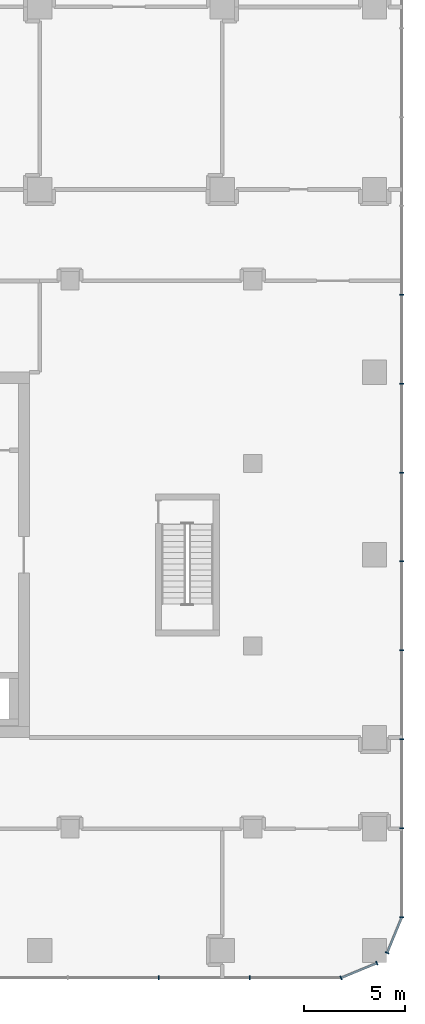
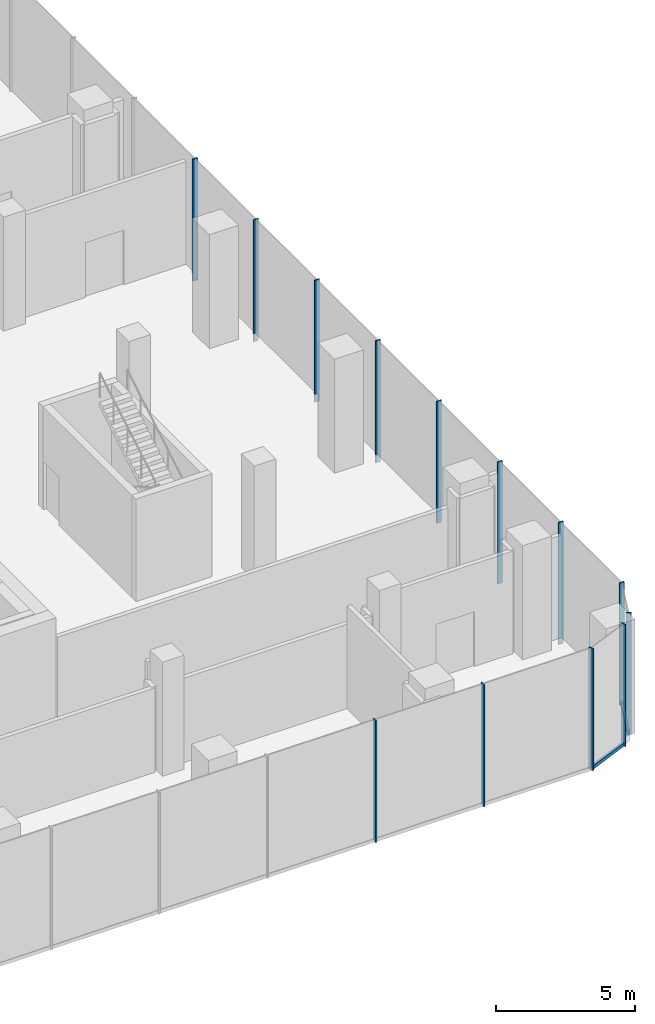
# One storey, part 13 of 36: 15 members, 4 elements without a shape of their own.
"""IFC4 building model written with IfcOpenShell, lengths in metres."""

from ifc_helpers import new_model, si_unit, direction, frame, origin, origin_2d, place, context, subcontext, project, spatial, rectangle, extrude, material, layer, layer_set, material_profile, profile_set, type_object, element, aggregate, save


model = new_model("IFC4")

# Units and contexts
model_context = context("Model", 3, precision=1e-05, world=origin(), true_north=direction((0.0, 1.0)))
body_context = subcontext(model_context, "Body", "Model", "MODEL_VIEW")
ifc_project = project(units=[si_unit("LENGTHUNIT", "METRE"), si_unit("AREAUNIT", "SQUARE_METRE"), si_unit("VOLUMEUNIT", "CUBIC_METRE"), si_unit("PLANEANGLEUNIT", "RADIAN"), si_unit("MASSUNIT", "GRAM", prefix="KILO")], contexts=[model_context])

# Site, building, storey
site_placement = place(None, origin())
site = spatial("IfcSite", under=ifc_project, at=site_placement, CompositionType="ELEMENT")
building_placement = place(site_placement, origin())
building = spatial("IfcBuilding", under=site, at=building_placement, Name="Plateau Cross Towers", CompositionType="ELEMENT")
storey_placement = place(building_placement, frame((0.0, 0.0, 21.800048828125)))
storey = spatial("IfcBuildingStorey", under=building, at=storey_placement, Name="L04", CompositionType="ELEMENT", Elevation=21.800048828125)

# Curtain wall, members
ifc_material_1 = material(Name="Dark low-iron laminated glass", Category="glass")
ifc_layer = layer(ifc_material_1, 0.300048828125)
ifc_layer_set = layer_set([ifc_layer], Name="Dark low-iron laminated glass")
curtain_wall_type = type_object("IfcCurtainWallType", Name="Curtain wall structural silicone CW-C", PredefinedType="NOTDEFINED", material=ifc_layer_set)
curtain_wall_1_placement = place(storey_placement, origin())
curtain_wall_1 = element("IfcCurtainWall", 1, at=curtain_wall_1_placement, inside=storey, type_object=curtain_wall_type, Name="ENV/P/L04/P-28_-118", PredefinedType="NOTDEFINED")
ifc_material_2 = material(Name="Black anodised aluminium", Category="aluminium")
ifc_material_profile_1 = material_profile(ifc_material_2, rectangle(XDim=0.050048828125, YDim=0.199951171875, at=origin_2d()), Name="MULLION 50x200")
ifc_profile_set_1 = profile_set([ifc_material_profile_1], Name="Black anodised aluminium")
member_type_1 = type_object("IfcMemberType", Name="Mullion 50x200 structural silicone", PredefinedType="MULLION", material=ifc_profile_set_1)
member_1_placement = place(storey_placement, frame((95.875, -11.85009765625, -0.35009765625), z_axis=(0.0, 0.0, 1.0), x_axis=(1.0, 0.0, 0.0)))
member_1 = element("IfcMember", 2, at=member_1_placement, type_object=member_type_1, Name="CW-C mullion 23", PredefinedType="MULLION", context=body_context, shape_type="SweptSolid", body=[
    extrude(rectangle(XDim=0.050048828125, YDim=0.199951171875, at=origin_2d()), origin(), (0.0, 0.0, 1.0), 5.35009765625),
])
member_2_placement = place(storey_placement, frame((100.362548828125, -11.85009765625, -0.35009765625), z_axis=(0.0, 0.0, 1.0), x_axis=(1.0, 0.0, 0.0)))
member_2 = element("IfcMember", 3, at=member_2_placement, type_object=member_type_1, Name="CW-C mullion 24", PredefinedType="MULLION", context=body_context, shape_type="SweptSolid", body=[
    extrude(rectangle(XDim=0.050048828125, YDim=0.199951171875, at=origin_2d()), origin(), (0.0, 0.0, 1.0), 5.35009765625),
])
aggregate(curtain_wall_1, [member_1, member_2])

curtain_wall_2_placement = place(storey_placement, origin())
curtain_wall_2 = element("IfcCurtainWall", 4, at=curtain_wall_2_placement, inside=storey, type_object=curtain_wall_type, Name="ENV/P/L04/P1048_-118", PredefinedType="NOTDEFINED")
member_3_placement = place(storey_placement, frame((104.85009765625, -11.85009765625, -0.35009765625), z_axis=(0.0, 0.0, 1.0), x_axis=(0.923879457699, 0.382683612978, 0.0)))
member_3 = element("IfcMember", 5, at=member_3_placement, type_object=member_type_1, Name="CW-C mullion 1", PredefinedType="MULLION", context=body_context, shape_type="SweptSolid", body=[
    extrude(rectangle(XDim=0.050048828125, YDim=0.199951171875, at=origin_2d()), origin(), (0.0, 0.0, 1.0), 5.35009765625),
])
member_4_placement = place(storey_placement, frame((106.6123046875, -11.1201171875, -0.35009765625), z_axis=(0.0, 0.0, 1.0), x_axis=(0.923879457699, 0.382683612978, 0.0)))
member_4 = element("IfcMember", 6, at=member_4_placement, type_object=member_type_1, Name="CW-C mullion 2", PredefinedType="MULLION", context=body_context, shape_type="SweptSolid", body=[
    extrude(rectangle(XDim=0.050048828125, YDim=0.199951171875, at=origin_2d()), origin(), (0.0, 0.0, 1.0), 5.35009765625),
])

# Curtain wall, member
curtain_wall_3_placement = place(storey_placement, origin())
curtain_wall_3 = element("IfcCurtainWall", 7, at=curtain_wall_3_placement, inside=storey, type_object=curtain_wall_type, Name="ENV/P/L04/P1071_-106", PredefinedType="NOTDEFINED")
member_5_placement = place(storey_placement, frame((107.1201171875, -10.6123046875, -0.35009765625), z_axis=(0.0, 0.0, 1.0), x_axis=(0.382683612978, 0.923879457699, 0.0)))
member_5 = element("IfcMember", 8, at=member_5_placement, type_object=member_type_1, Name="CW-C mullion 1", PredefinedType="MULLION", context=body_context, shape_type="SweptSolid", body=[
    extrude(rectangle(XDim=0.050048828125, YDim=0.199951171875, at=origin_2d()), origin(), (0.0, 0.0, 1.0), 5.35009765625),
])

# Curtain wall, members
curtain_wall_4_placement = place(storey_placement, origin())
curtain_wall_4 = element("IfcCurtainWall", 9, at=curtain_wall_4_placement, inside=storey, type_object=curtain_wall_type, Name="ENV/P/L04/P1078_-88", PredefinedType="NOTDEFINED")
member_6_placement = place(storey_placement, frame((107.85009765625, -8.85009765625, -0.35009765625), z_axis=(0.0, 0.0, 1.0), x_axis=(0.0, 1.0, 0.0)))
member_6 = element("IfcMember", 10, at=member_6_placement, type_object=member_type_1, Name="CW-C mullion 1", PredefinedType="MULLION", context=body_context, shape_type="SweptSolid", body=[
    extrude(rectangle(XDim=0.050048828125, YDim=0.199951171875, at=origin_2d()), origin(), (0.0, 0.0, 1.0), 5.35009765625),
])
member_7_placement = place(storey_placement, frame((107.85009765625, -4.469970703125, -0.35009765625), z_axis=(0.0, 0.0, 1.0), x_axis=(0.0, 1.0, 0.0)))
member_7 = element("IfcMember", 11, at=member_7_placement, type_object=member_type_1, Name="CW-C mullion 2", PredefinedType="MULLION", context=body_context, shape_type="SweptSolid", body=[
    extrude(rectangle(XDim=0.050048828125, YDim=0.199951171875, at=origin_2d()), origin(), (0.0, 0.0, 1.0), 5.35009765625),
])
member_8_placement = place(storey_placement, frame((107.85009765625, -0.090087890625, -0.35009765625), z_axis=(0.0, 0.0, 1.0), x_axis=(0.0, 1.0, 0.0)))
member_8 = element("IfcMember", 12, at=member_8_placement, type_object=member_type_1, Name="CW-C mullion 3", PredefinedType="MULLION", context=body_context, shape_type="SweptSolid", body=[
    extrude(rectangle(XDim=0.050048828125, YDim=0.199951171875, at=origin_2d()), origin(), (0.0, 0.0, 1.0), 5.35009765625),
])
member_9_placement = place(storey_placement, frame((107.85009765625, 4.2900390625, -0.35009765625), z_axis=(0.0, 0.0, 1.0), x_axis=(0.0, 1.0, 0.0)))
member_9 = element("IfcMember", 13, at=member_9_placement, type_object=member_type_1, Name="CW-C mullion 4", PredefinedType="MULLION", context=body_context, shape_type="SweptSolid", body=[
    extrude(rectangle(XDim=0.050048828125, YDim=0.199951171875, at=origin_2d()), origin(), (0.0, 0.0, 1.0), 5.35009765625),
])
member_10_placement = place(storey_placement, frame((107.85009765625, 8.669921875, -0.35009765625), z_axis=(0.0, 0.0, 1.0), x_axis=(0.0, 1.0, 0.0)))
member_10 = element("IfcMember", 14, at=member_10_placement, type_object=member_type_1, Name="CW-C mullion 5", PredefinedType="MULLION", context=body_context, shape_type="SweptSolid", body=[
    extrude(rectangle(XDim=0.050048828125, YDim=0.199951171875, at=origin_2d()), origin(), (0.0, 0.0, 1.0), 5.35009765625),
])
member_11_placement = place(storey_placement, frame((107.85009765625, 13.050048828125, -0.35009765625), z_axis=(0.0, 0.0, 1.0), x_axis=(0.0, 1.0, 0.0)))
member_11 = element("IfcMember", 15, at=member_11_placement, type_object=member_type_1, Name="CW-C mullion 6", PredefinedType="MULLION", context=body_context, shape_type="SweptSolid", body=[
    extrude(rectangle(XDim=0.050048828125, YDim=0.199951171875, at=origin_2d()), origin(), (0.0, 0.0, 1.0), 5.35009765625),
])
member_12_placement = place(storey_placement, frame((107.85009765625, 17.429931640625, -0.35009765625), z_axis=(0.0, 0.0, 1.0), x_axis=(0.0, 1.0, 0.0)))
member_12 = element("IfcMember", 16, at=member_12_placement, type_object=member_type_1, Name="CW-C mullion 7", PredefinedType="MULLION", context=body_context, shape_type="SweptSolid", body=[
    extrude(rectangle(XDim=0.050048828125, YDim=0.199951171875, at=origin_2d()), origin(), (0.0, 0.0, 1.0), 5.35009765625),
])
member_13_placement = place(storey_placement, frame((107.85009765625, 21.81005859375, -0.35009765625), z_axis=(0.0, 0.0, 1.0), x_axis=(0.0, 1.0, 0.0)))
member_13 = element("IfcMember", 17, at=member_13_placement, type_object=member_type_1, Name="CW-C mullion 8", PredefinedType="MULLION", context=body_context, shape_type="SweptSolid", body=[
    extrude(rectangle(XDim=0.050048828125, YDim=0.199951171875, at=origin_2d()), origin(), (0.0, 0.0, 1.0), 5.35009765625),
])
aggregate(curtain_wall_4, [member_6, member_7, member_8, member_9, member_10, member_11, member_12, member_13])

# Member
ifc_material_profile_2 = material_profile(ifc_material_2, rectangle(XDim=0.10009765625, YDim=0.14990234375, at=origin_2d()), Name="TRANSOM 100x150")
ifc_profile_set_2 = profile_set([ifc_material_profile_2], Name="Black anodised aluminium")
member_type_2 = type_object("IfcMemberType", Name="Transom 100x150 structural silicone", PredefinedType="USERDEFINED", material=ifc_profile_set_2)
member_14_placement = place(storey_placement, frame((104.85009765625, -11.85009765625, -0.275146484375), z_axis=(0.923870187147, 0.38270599329, 0.0), x_axis=(-0.38270599329, 0.923870187147, 0.0)))
member_14 = element("IfcMember", 18, at=member_14_placement, type_object=member_type_2, Name="CW-C transom", ObjectType="TRANSOM", PredefinedType="USERDEFINED", context=body_context, shape_type="SweptSolid", body=[
    extrude(rectangle(XDim=0.10009765625, YDim=0.14990234375, at=origin_2d()), origin(), (0.0, 0.0, 1.0), 1.907470703125),
])

aggregate(curtain_wall_2, [member_3, member_4, member_14])

member_15_placement = place(storey_placement, frame((107.1201171875, -10.6123046875, -0.275146484375), z_axis=(0.38270599329, 0.923870187147, 0.0), x_axis=(-0.923870187147, 0.38270599329, 0.0)))
member_15 = element("IfcMember", 19, at=member_15_placement, type_object=member_type_2, Name="CW-C transom", ObjectType="TRANSOM", PredefinedType="USERDEFINED", context=body_context, shape_type="SweptSolid", body=[
    extrude(rectangle(XDim=0.10009765625, YDim=0.14990234375, at=origin_2d()), origin(), (0.0, 0.0, 1.0), 1.907470703125),
])

aggregate(curtain_wall_3, [member_5, member_15])

save(model, "model.ifc")
